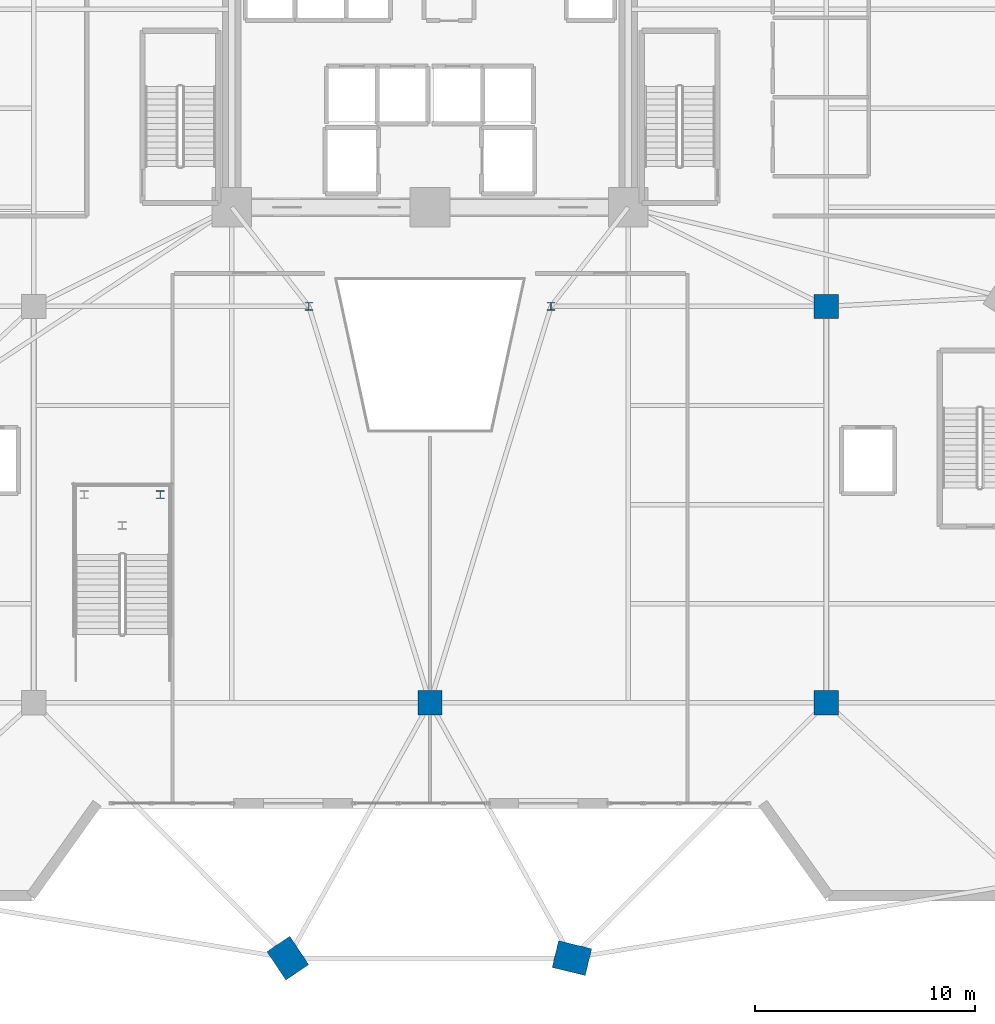
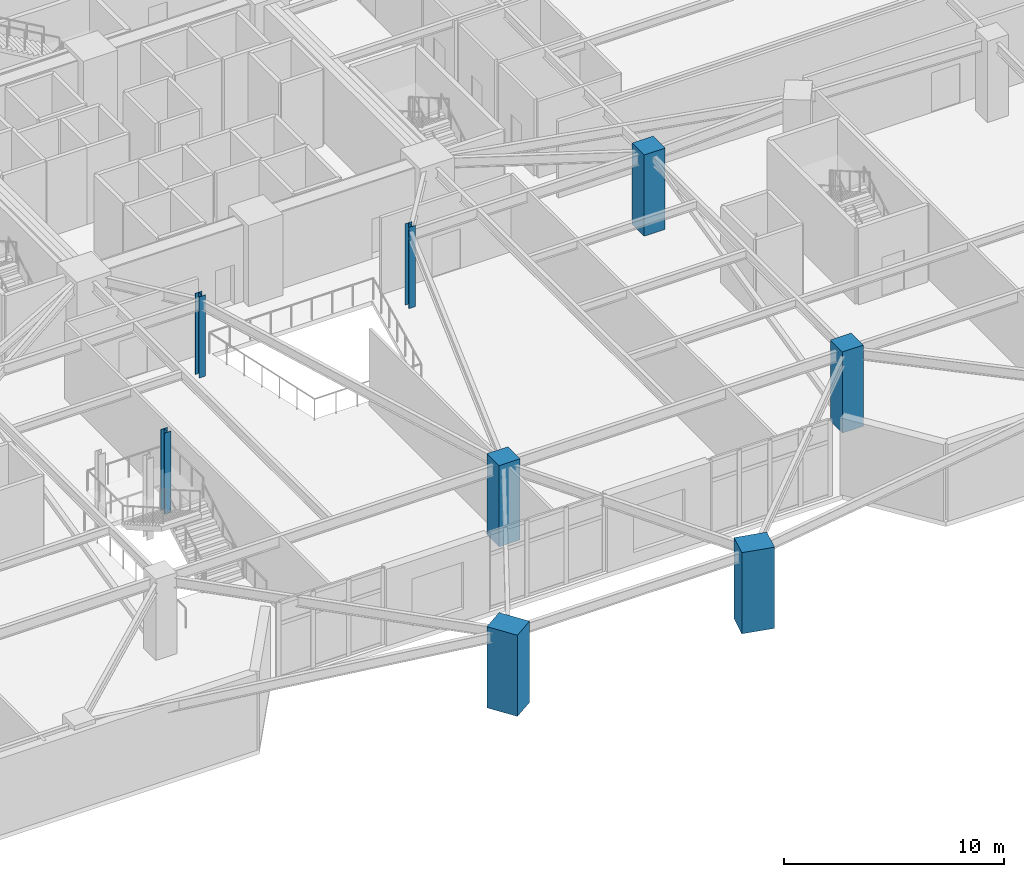
# One storey, part 2 of 29: 8 columns.
"""IFC4 building model written with IfcOpenShell, lengths in metres."""

from ifc_helpers import new_model, si_unit, direction, frame, origin, origin_2d, place, context, subcontext, project, spatial, rectangle, i_section, extrude, source, transform, mapped, material, material_profile, profile_set, type_object, element, save


model = new_model("IFC4")

# Units and contexts
model_context = context("Model", 3, precision=1e-05, world=origin(), true_north=direction((0.0, 1.0)))
body_context = subcontext(model_context, "Body", "Model", "MODEL_VIEW")
ifc_project = project(units=[si_unit("LENGTHUNIT", "METRE"), si_unit("AREAUNIT", "SQUARE_METRE"), si_unit("VOLUMEUNIT", "CUBIC_METRE"), si_unit("PLANEANGLEUNIT", "RADIAN"), si_unit("MASSUNIT", "GRAM", prefix="KILO")], contexts=[model_context])

# Site, building, storey
site_placement = place(None, origin())
site = spatial("IfcSite", under=ifc_project, at=site_placement, CompositionType="ELEMENT")
building_placement = place(site_placement, origin())
building = spatial("IfcBuilding", under=site, at=building_placement, Name="Liaohun Quay Tower", CompositionType="ELEMENT")
storey_placement = place(building_placement, frame((0.0, 0.0, 5.39990234375)))
storey = spatial("IfcBuildingStorey", under=building, at=storey_placement, Name="L02", CompositionType="ELEMENT", Elevation=5.39990234375)

# Columns
ifc_material_1 = material(Name="Concrete C60", Category="concrete")
ifc_material_profile_1 = material_profile(ifc_material_1, rectangle(XDim=1.550048828125, YDim=1.25, at=origin_2d()), Name="RC1550x1250")
ifc_profile_set_1 = profile_set([ifc_material_profile_1], Name="Concrete C60")
column_type_1 = type_object("IfcColumnType", Name="COL-PIER-Z1", PredefinedType="COLUMN", material=ifc_profile_set_1)
shared_shape_1 = source(origin(), body_context, "Body", "SweptSolid", [
    extrude(rectangle(XDim=1.550048828125, YDim=1.25, at=origin_2d()), origin(), (0.0, 0.0, 1.0), 4.5),
])
for number, where, z_axis, x_axis, name in (
    (1, (53.5458984375, 12.39697265625, 0.0), (0.0, 0.0, 1.0), (-0.556005513314, 0.831178602446, 0.0), "L02 Tower Mega-Pier PC01"),
    (2, (66.447998046875, 12.39892578125, 0.0), (0.0, 0.0, 1.0), (-0.972043021443, 0.234802820391, 0.0), "L02 Tower Mega-Pier PC11"),
):
    element("IfcColumn", number, at=place(storey_placement, frame(where, z_axis=z_axis, x_axis=x_axis)), inside=storey, type_object=column_type_1, Name=name, PredefinedType="COLUMN", context=body_context, shape_type="MappedRepresentation", body=[
        mapped(shared_shape_1, transform((0.0, 0.0, 0.0), x_axis=(1.0, 0.0, 0.0), y_axis=(0.0, 1.0, 0.0), z_axis=(0.0, 0.0, 1.0), scale=1.0)),
    ])
ifc_material_2 = material(Name="Concrete C55", Category="concrete")
ifc_material_profile_2 = material_profile(ifc_material_2, rectangle(XDim=1.10009765625, YDim=1.10009765625, at=origin_2d()), Name="RC1100x1100")
ifc_profile_set_2 = profile_set([ifc_material_profile_2], Name="Concrete C55")
column_type_2 = type_object("IfcColumnType", Name="COL-POD-P", PredefinedType="COLUMN", material=ifc_profile_set_2)
shared_shape_2 = source(origin(), body_context, "Body", "SweptSolid", [
    extrude(rectangle(XDim=1.10009765625, YDim=1.10009765625, at=origin_2d()), origin(), (0.0, 0.0, 1.0), 4.5),
])
for number, where, z_axis, x_axis, name in (
    (3, (60.0, 24.0, 0.0), (0.0, 0.0, 1.0), (1.0, 0.0, 0.0), "L02 Podium Column PG03"),
    (4, (78.0, 24.0, 0.0), (0.0, 0.0, 1.0), (1.0, 0.0, 0.0), "L02 Podium Column PG04"),
    (5, (78.0, 42.0, 0.0), (0.0, 0.0, 1.0), (1.0, 0.0, 0.0), "L02 Podium Column PG08"),
):
    element("IfcColumn", number, at=place(storey_placement, frame(where, z_axis=z_axis, x_axis=x_axis)), inside=storey, type_object=column_type_2, Name=name, PredefinedType="COLUMN", context=body_context, shape_type="MappedRepresentation", body=[
        mapped(shared_shape_2, transform((0.0, 0.0, 0.0), x_axis=(1.0, 0.0, 0.0), y_axis=(0.0, 1.0, 0.0), z_axis=(0.0, 0.0, 1.0), scale=1.0)),
    ])
ifc_material_3 = material(Name="Steel Q355D", Category="steel")
ifc_material_profile_3 = material_profile(ifc_material_3, i_section(OverallWidth=0.35009765625, OverallDepth=0.35009765625, WebThickness=0.011962890625, FlangeThickness=0.01904296875, at=origin_2d()), Name="HW350x350x12x19")
ifc_profile_set_3 = profile_set([ifc_material_profile_3], Name="Steel Q355D")
column_type_3 = type_object("IfcColumnType", Name="COL-STL-ATR", PredefinedType="COLUMN", material=ifc_profile_set_3)
shared_shape_3 = source(origin(), body_context, "Body", "SweptSolid", [
    extrude(i_section(OverallWidth=0.35009765625, OverallDepth=0.35009765625, WebThickness=0.011962890625, FlangeThickness=0.01904296875, at=origin_2d()), origin(), (0.0, 0.0, 1.0), 4.5),
])
for number, where, z_axis, x_axis, name in (
    (6, (54.5, 42.0, 0.0), (0.0, 0.0, 1.0), (1.0, 0.0, 0.0), "L02 Atrium Feature Column AT1"),
    (7, (65.5, 42.0, 0.0), (0.0, 0.0, 1.0), (1.0, 0.0, 0.0), "L02 Atrium Feature Column AT2"),
    (8, (47.75, 33.449951171875, 0.0), (0.0, 0.0, 1.0), (1.0, 0.0, 0.0), "L02 Monumental Stair Support Post STA2"),
):
    element("IfcColumn", number, at=place(storey_placement, frame(where, z_axis=z_axis, x_axis=x_axis)), inside=storey, type_object=column_type_3, Name=name, PredefinedType="COLUMN", context=body_context, shape_type="MappedRepresentation", body=[
        mapped(shared_shape_3, transform((0.0, 0.0, 0.0), x_axis=(1.0, 0.0, 0.0), y_axis=(0.0, 1.0, 0.0), z_axis=(0.0, 0.0, 1.0), scale=1.0)),
    ])

save(model, "model.ifc")
